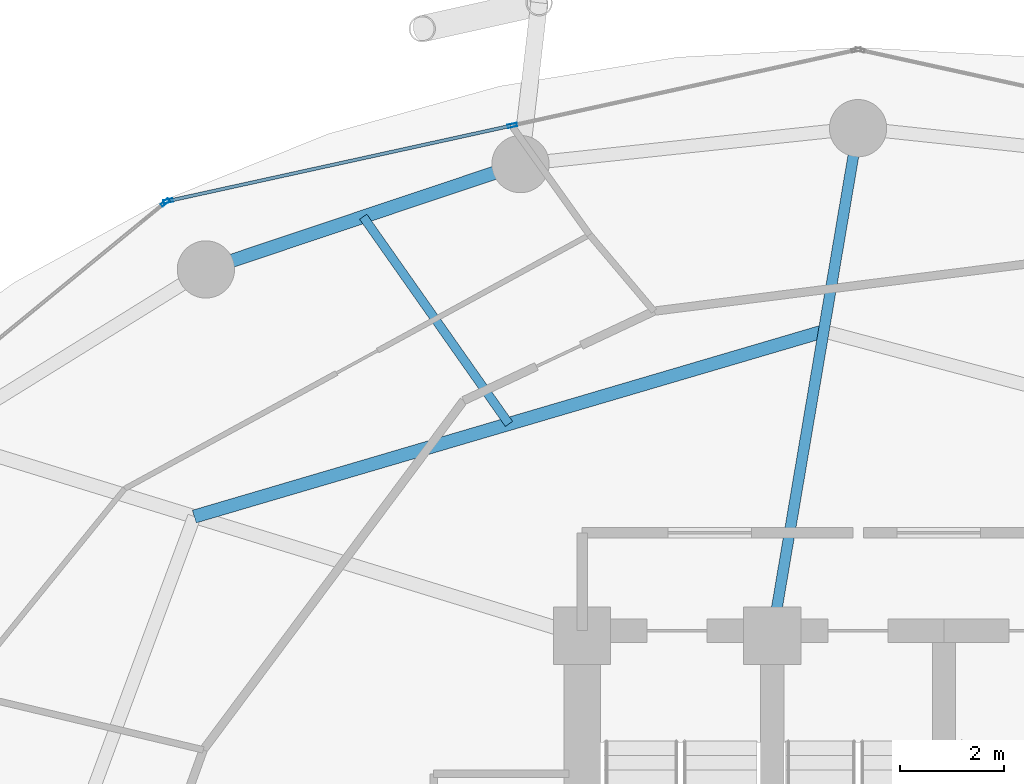
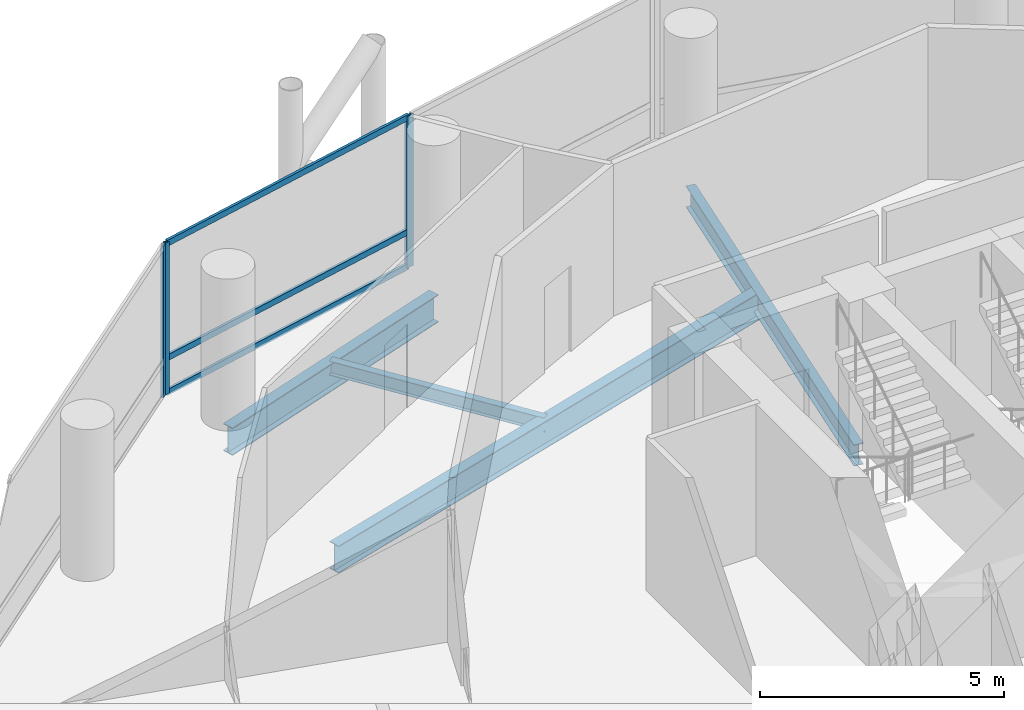
# One storey, part 15 of 24: 6 members, 4 beams, 2 elements without a shape of their own.
"""IFC4 building model written with IfcOpenShell, lengths in metres."""

from ifc_helpers import new_model, si_unit, direction, frame, origin, origin_2d, place, context, subcontext, project, spatial, hollow_rectangle, i_section, extrude, material, layer, layer_set, material_profile, profile_set, type_object, element, aggregate, save


model = new_model("IFC4")

# Units and contexts
model_context = context("Model", 3, precision=1e-05, world=origin(), true_north=direction((0.0, 1.0)))
body_context = subcontext(model_context, "Body", "Model", "MODEL_VIEW")
ifc_project = project(units=[si_unit("LENGTHUNIT", "METRE"), si_unit("AREAUNIT", "SQUARE_METRE"), si_unit("VOLUMEUNIT", "CUBIC_METRE"), si_unit("PLANEANGLEUNIT", "RADIAN"), si_unit("MASSUNIT", "GRAM", prefix="KILO")], contexts=[model_context])

# Site, building, storey
site_placement = place(None, origin())
site = spatial("IfcSite", under=ifc_project, at=site_placement, CompositionType="ELEMENT")
building_placement = place(site_placement, origin())
building = spatial("IfcBuilding", under=site, at=building_placement, Name="Nuhasar Tower", CompositionType="ELEMENT")
storey_placement = place(building_placement, frame((0.0, 0.0, 85.800048828125)))
storey = spatial("IfcBuildingStorey", under=building, at=storey_placement, Name="L20", CompositionType="ELEMENT", Elevation=85.800048828125)

# Beams
ifc_material_1 = material(Name="Steel S355", Category="steel")
ifc_material_profile_1 = material_profile(ifc_material_1, i_section(OverallWidth=0.25390625, OverallDepth=0.68408203125, WebThickness=0.012451171875, FlangeThickness=0.018798828125, at=origin_2d()), Name="W27X94")
ifc_profile_set_1 = profile_set([ifc_material_profile_1], Name="Steel S355")
beam_type_1 = type_object("IfcBeamType", Name="BM-INRING-W27X94", PredefinedType="BEAM", material=ifc_profile_set_1)
beam_1_placement = place(storey_placement, frame((38.340087890625, 43.14990234375, -0.592041015625), z_axis=(-0.959290190666, -0.28242225495, 0.0), x_axis=(0.28242225495, -0.959290190666, 0.0)))
element("IfcBeam", 1, at=beam_1_placement, inside=storey, type_object=beam_type_1, Name="L20 Inner Header Beam 06", PredefinedType="BEAM", context=body_context, shape_type="SweptSolid", body=[
    extrude(i_section(OverallWidth=0.25390625, OverallDepth=0.68408203125, WebThickness=0.012451171875, FlangeThickness=0.018798828125, at=origin_2d()), origin(), (0.0, 0.0, 1.0), 12.60107421875),
])
ifc_material_profile_2 = material_profile(ifc_material_1, i_section(OverallWidth=0.1708984375, OverallDepth=0.35205078125, WebThickness=0.0068359375, FlangeThickness=0.009765625, at=origin_2d()), Name="W14X30")
ifc_profile_set_2 = profile_set([ifc_material_profile_2], Name="Steel S355")
beam_type_2 = type_object("IfcBeamType", Name="BM-JST-W14X30", PredefinedType="JOIST", material=ifc_profile_set_2)
beam_2_placement = place(storey_placement, frame((32.2958984375, 41.3701171875, -0.426025390625), z_axis=(-0.575461088141, 0.817829160666, 0.0), x_axis=(-0.817829160666, -0.575461088141, 0.0)))
element("IfcBeam", 2, at=beam_2_placement, inside=storey, type_object=beam_type_2, Name="L20 Secondary Floor Joist 06", PredefinedType="JOIST", context=body_context, shape_type="SweptSolid", body=[
    extrude(i_section(OverallWidth=0.1708984375, OverallDepth=0.35205078125, WebThickness=0.0068359375, FlangeThickness=0.009765625, at=origin_2d()), origin(), (0.0, 0.0, 1.0), 4.865234375),
])
ifc_material_profile_3 = material_profile(ifc_material_1, i_section(OverallWidth=0.208984375, OverallDepth=0.532958984375, WebThickness=0.01025390625, FlangeThickness=0.015625, at=origin_2d()), Name="W21X62")
ifc_profile_set_3 = profile_set([ifc_material_profile_3], Name="Steel S355")
beam_type_3 = type_object("IfcBeamType", Name="BM-RAD-W21X62", PredefinedType="BEAM", material=ifc_profile_set_3)
beam_3_placement = place(storey_placement, frame((37.35009765625, 37.300048828125, -0.51611328125), z_axis=(0.166848703013, 0.98598251014, 0.0), x_axis=(-0.98598251014, 0.166848703013, 0.0)))
element("IfcBeam", 3, at=beam_3_placement, inside=storey, type_object=beam_type_3, Name="L20 Radial Floor Girder 06", PredefinedType="BEAM", context=body_context, shape_type="SweptSolid", body=[
    extrude(i_section(OverallWidth=0.208984375, OverallDepth=0.532958984375, WebThickness=0.01025390625, FlangeThickness=0.015625, at=origin_2d()), origin(), (0.0, 0.0, 1.0), 9.888671875),
])
ifc_material_profile_4 = material_profile(ifc_material_1, i_section(OverallWidth=0.256103515625, OverallDepth=0.693115234375, WebThickness=0.014404296875, FlangeThickness=0.023681640625, at=origin_2d()), Name="W27X114")
ifc_profile_set_4 = profile_set([ifc_material_profile_4], Name="Steel S355")
beam_type_4 = type_object("IfcBeamType", Name="BM-RING-W27X114", PredefinedType="SPANDREL", material=ifc_profile_set_4)
beam_4_placement = place(storey_placement, frame((32.51708984375, 46.360107421875, -0.59716796875), z_axis=(-0.948249435708, -0.317526388949, 0.0), x_axis=(0.317526388949, -0.948249435708, 0.0)))
element("IfcBeam", 4, at=beam_4_placement, inside=storey, type_object=beam_type_4, Name="L20 Perimeter Ring Spandrel 08", PredefinedType="SPANDREL", context=body_context, shape_type="SweptSolid", body=[
    extrude(i_section(OverallWidth=0.256103515625, OverallDepth=0.693115234375, WebThickness=0.014404296875, FlangeThickness=0.023681640625, at=origin_2d()), origin(), (0.0, 0.0, 1.0), 6.371826171875),
])

# Curtain wall, members
ifc_material_2 = material(Name="Aluminium 6063-T6", Category="aluminium")
ifc_layer = layer(ifc_material_2, 0.199951171875)
ifc_layer_set = layer_set([ifc_layer], Name="Aluminium 6063-T6")
curtain_wall_type = type_object("IfcCurtainWallType", Name="CW-Z1-OFF", PredefinedType="NOTDEFINED", material=ifc_layer_set)
curtain_wall_1_placement = place(storey_placement, origin())
curtain_wall_1 = element("IfcCurtainWall", 5, at=curtain_wall_1_placement, inside=storey, type_object=curtain_wall_type, Name="L20 Unitised Curtain Wall 04", PredefinedType="NOTDEFINED")
ifc_material_profile_5 = material_profile(ifc_material_2, hollow_rectangle(XDim=0.06494140625, YDim=0.179931640625, WallThickness=0.0048828125, at=origin_2d()), Name="CWM-2")
ifc_profile_set_5 = profile_set([ifc_material_profile_5], Name="Aluminium 6063-T6")
member_type_1 = type_object("IfcMemberType", Name="CW-MUL-S2", PredefinedType="MULLION", material=ifc_profile_set_5)
member_1_placement = place(storey_placement, frame((32.360107421875, 47.1025390625, 0.0), z_axis=(0.0, 0.0, 1.0), x_axis=(0.214398737637, -0.976746221544, 0.0)))
member_1 = element("IfcMember", 6, at=member_1_placement, type_object=member_type_1, Name="CW-Z1 mullion 2", PredefinedType="MULLION", context=body_context, shape_type="SweptSolid", body=[
    extrude(hollow_rectangle(XDim=0.06494140625, YDim=0.179931640625, WallThickness=0.0048828125, at=origin_2d()), origin(), (0.0, 0.0, 1.0), 3.800048828125),
])
member_2_placement = place(storey_placement, frame((25.751708984375, 45.65185546875, 0.0), z_axis=(0.0, 0.0, 1.0), x_axis=(0.214398737637, -0.976746221544, 0.0)))
member_2 = element("IfcMember", 7, at=member_2_placement, type_object=member_type_1, Name="CW-Z1 mullion 3", PredefinedType="MULLION", context=body_context, shape_type="SweptSolid", body=[
    extrude(hollow_rectangle(XDim=0.06494140625, YDim=0.179931640625, WallThickness=0.0048828125, at=origin_2d()), origin(), (0.0, 0.0, 1.0), 3.800048828125),
])

# Curtain wall, member
curtain_wall_2_placement = place(storey_placement, origin())
curtain_wall_2 = element("IfcCurtainWall", 8, at=curtain_wall_2_placement, inside=storey, type_object=curtain_wall_type, Name="L20 Unitised Curtain Wall 05", PredefinedType="NOTDEFINED")
member_3_placement = place(storey_placement, frame((25.69482421875, 45.62451171875, 0.0), z_axis=(0.0, 0.0, 1.0), x_axis=(0.633744593376, -0.773542364946, 0.0)))
member_3 = element("IfcMember", 9, at=member_3_placement, type_object=member_type_1, Name="CW-Z1 mullion 1", PredefinedType="MULLION", context=body_context, shape_type="SweptSolid", body=[
    extrude(hollow_rectangle(XDim=0.06494140625, YDim=0.179931640625, WallThickness=0.0048828125, at=origin_2d()), origin(), (0.0, 0.0, 1.0), 3.800048828125),
])
aggregate(curtain_wall_2, [member_3])

# Member
ifc_material_profile_6 = material_profile(ifc_material_2, hollow_rectangle(XDim=0.06494140625, YDim=0.14990234375, WallThickness=0.00439453125, at=origin_2d()), Name="CWT-2")
ifc_profile_set_6 = profile_set([ifc_material_profile_6], Name="Aluminium 6063-T6")
member_type_2 = type_object("IfcMemberType", Name="CW-TRN-S2", PredefinedType="USERDEFINED", material=ifc_profile_set_6)
member_4_placement = place(storey_placement, frame((32.328369140625, 47.095458984375, 0.032470703125), z_axis=(-0.976749553792, -0.214383556196, 0.0), x_axis=(0.214383556196, -0.976749553792, 0.0)))
member_4 = element("IfcMember", 10, at=member_4_placement, type_object=member_type_2, Name="CW-Z1 transom 2.1", ObjectType="TRANSOM", PredefinedType="USERDEFINED", context=body_context, shape_type="SweptSolid", body=[
    extrude(hollow_rectangle(XDim=0.06494140625, YDim=0.14990234375, WallThickness=0.00439453125, at=origin_2d()), origin(), (0.0, 0.0, 1.0), 6.70068359375),
])

member_5_placement = place(storey_placement, frame((32.328369140625, 47.095458984375, 0.89990234375), z_axis=(-0.976749553792, -0.214383556196, 0.0), x_axis=(0.214383556196, -0.976749553792, 0.0)))
member_5 = element("IfcMember", 11, at=member_5_placement, type_object=member_type_2, Name="CW-Z1 transom 2.2", ObjectType="TRANSOM", PredefinedType="USERDEFINED", context=body_context, shape_type="SweptSolid", body=[
    extrude(hollow_rectangle(XDim=0.06494140625, YDim=0.14990234375, WallThickness=0.00439453125, at=origin_2d()), origin(), (0.0, 0.0, 1.0), 6.70068359375),
])

member_6_placement = place(storey_placement, frame((32.328369140625, 47.095458984375, 3.767333984375), z_axis=(-0.976749553792, -0.214383556196, 0.0), x_axis=(0.214383556196, -0.976749553792, 0.0)))
member_6 = element("IfcMember", 12, at=member_6_placement, type_object=member_type_2, Name="CW-Z1 transom 2.3", ObjectType="TRANSOM", PredefinedType="USERDEFINED", context=body_context, shape_type="SweptSolid", body=[
    extrude(hollow_rectangle(XDim=0.06494140625, YDim=0.14990234375, WallThickness=0.00439453125, at=origin_2d()), origin(), (0.0, 0.0, 1.0), 6.70068359375),
])

aggregate(curtain_wall_1, [member_1, member_2, member_4, member_5, member_6])

save(model, "model.ifc")
